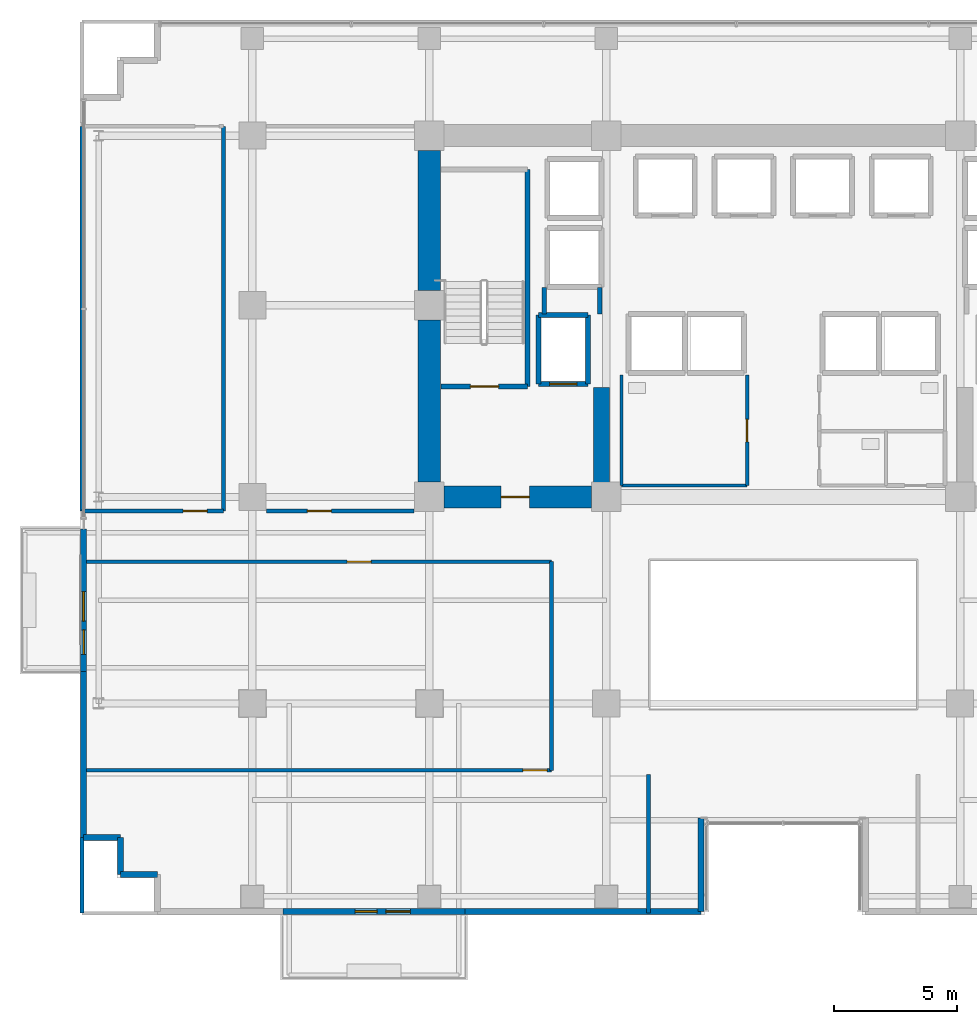
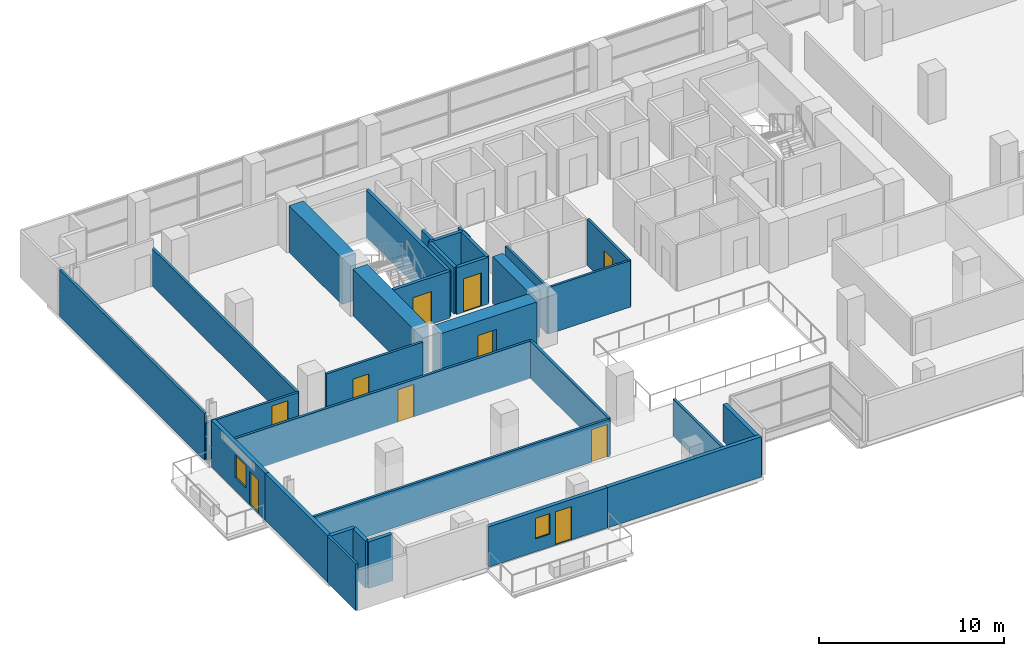
# One storey, part 24 of 31: 32 walls, 10 doors, 2 windows, 12 openings.
"""IFC4 building model written with IfcOpenShell, lengths in metres."""

import ifcopenshell
import ifcopenshell.guid

model = None  # the IFC model being written
_history = None  # IfcOwnerHistory: only IFC2X3 demands one
_inside = {}  # id of a spatial element -> (the spatial element, [elements in it])
_under = {}  # id of a project, library or spatial element -> (it, [spatial elements below it])
_declared = {}  # id of a project -> (the project, [libraries it declares])
_typed = {}  # id of a type object -> (the type object, [elements of that type])
_made_of = {}  # id of a material, layer set ... -> (it, [elements and type objects made of it])


def new_model(schema):
    """Start an empty IFC model of exactly this schema.

    Asked for "IFC4X3", IfcOpenShell would pick the latest addendum, in which some entities
    have other attributes; the version numbers below select the first issue.
    IFC2X3 requires an IfcOwnerHistory on every rooted entity: one is made here for all.
    """
    global model, _history
    if schema == "IFC4X3":
        model = ifcopenshell.file(schema_version=(4, 3, 0, 0))
    else:
        model = ifcopenshell.file(schema=schema)
    _inside.clear()
    _under.clear()
    _declared.clear()
    _typed.clear()
    _made_of.clear()
    _history = None
    if model.schema == "IFC2X3":
        org = make("IfcOrganization", Name="unknown")
        user = make(
            "IfcPersonAndOrganization",
            ThePerson=make("IfcPerson", FamilyName="unknown"),
            TheOrganization=org,
        )
        app = make(
            "IfcApplication",
            ApplicationDeveloper=org,
            Version="unknown",
            ApplicationFullName="unknown",
            ApplicationIdentifier="unknown",
        )
        _history = make(
            "IfcOwnerHistory",
            OwningUser=user,
            OwningApplication=app,
            ChangeAction="ADDED",
            CreationDate=0,
        )
    return model


def make(cls, **values):
    """One entity of the class cls with the attributes given. An attribute that is None is left unset."""
    return model.create_entity(
        cls, **{name: value for name, value in values.items() if value is not None}
    )


def rooted(cls, **values):
    """An entity with a GlobalId (a new one), such as an element, a storey or a relation."""
    return make(cls, GlobalId=ifcopenshell.guid.new(), OwnerHistory=_history, **values)


def si_unit(unit_type, name, prefix=None):
    """IfcSIUnit, for example si_unit("LENGTHUNIT", "METRE", prefix="MILLI")."""
    return make("IfcSIUnit", UnitType=unit_type, Prefix=prefix, Name=name)


def assignment(units):
    """IfcUnitAssignment: the units of a project."""
    return None if units is None else make("IfcUnitAssignment", Units=units)


def point(xyz):
    """IfcCartesianPoint."""
    return None if xyz is None else make("IfcCartesianPoint", Coordinates=xyz)


def direction(xyz):
    """IfcDirection."""
    return None if xyz is None else make("IfcDirection", DirectionRatios=xyz)


def frame(location, z_axis=None, x_axis=None):
    """IfcAxis2Placement3D, a coordinate frame: its origin and axes. An axis left out is left unset."""
    return make(
        "IfcAxis2Placement3D",
        Location=point(location),
        Axis=direction(z_axis),
        RefDirection=direction(x_axis),
    )


def frame_2d(location, x_axis=None):
    """IfcAxis2Placement2D, a coordinate frame in the plane: its origin and x axis."""
    return make(
        "IfcAxis2Placement2D", Location=point(location), RefDirection=direction(x_axis)
    )


def origin():
    """The frame at (0, 0, 0) with its axes left unset."""
    return frame((0.0, 0.0, 0.0))


def place(relative_to, where):
    """IfcLocalPlacement: puts the frame where relative to a parent placement (None: the world)."""
    return make(
        "IfcLocalPlacement", PlacementRelTo=relative_to, RelativePlacement=where
    )


def context(
    kind, dimensions, precision=None, world=None, true_north=None, identifier=None
):
    """IfcGeometricRepresentationContext, for example the 3D "Model" context."""
    return make(
        "IfcGeometricRepresentationContext",
        ContextIdentifier=identifier,
        ContextType=kind,
        CoordinateSpaceDimension=dimensions,
        Precision=precision,
        WorldCoordinateSystem=world,
        TrueNorth=true_north,
    )


def subcontext(parent, identifier, kind, view, scale=None):
    """IfcGeometricRepresentationSubContext, for example "Body" below "Model"."""
    return make(
        "IfcGeometricRepresentationSubContext",
        ContextIdentifier=identifier,
        ContextType=kind,
        ParentContext=parent,
        TargetScale=scale,
        TargetView=view,
    )


def project(units=None, contexts=None):
    """IfcProject with its units and contexts."""
    return rooted(
        "IfcProject",
        Name="project",
        RepresentationContexts=contexts,
        UnitsInContext=assignment(units),
    )


def spatial(cls, under=None, at=None, **own):
    """A site, building, storey or space (cls), placed at a placement, below another one or the project."""
    s = rooted(cls, ObjectPlacement=at, **own)
    if under is not None:
        _under.setdefault(under.id(), (under, []))[1].append(s)
    return s


def profile(cls, at=None, kind="AREA", **sizes):
    """A parametric profile (cls). Its sizes go by their IFC names, for example OverallWidth=200.0."""
    return make(cls, ProfileType=kind, Position=at, **sizes)


def rectangle(**sizes):
    """IfcRectangleProfileDef."""
    return profile("IfcRectangleProfileDef", **sizes)


def extrude(swept, where, along, depth):
    """IfcExtrudedAreaSolid: the profile swept, set in the frame where, extruded along a direction by depth."""
    return make(
        "IfcExtrudedAreaSolid",
        SweptArea=swept,
        Position=where,
        ExtrudedDirection=direction(along),
        Depth=depth,
    )


def shape(context_of_items, identifier, shape_type, items):
    """IfcShapeRepresentation: the items that make up one representation, for example the "Body"."""
    return make(
        "IfcShapeRepresentation",
        ContextOfItems=context_of_items,
        RepresentationIdentifier=identifier,
        RepresentationType=shape_type,
        Items=items,
    )


def source(mapping_origin, context_of_items, identifier, shape_type, items):
    """IfcRepresentationMap: a shape defined once, which mapped items show again and again."""
    return make(
        "IfcRepresentationMap",
        MappingOrigin=mapping_origin,
        MappedRepresentation=shape(context_of_items, identifier, shape_type, items),
    )


def transform(
    local_origin,
    x_axis=None,
    y_axis=None,
    z_axis=None,
    scale=None,
    scale2=None,
    scale3=None,
    uniform=True,
):
    """IfcCartesianTransformationOperator3D, or its non-uniform kind. x_axis, y_axis, z_axis: its Axis1, 2, 3."""
    if uniform:
        return make(
            "IfcCartesianTransformationOperator3D",
            Axis1=direction(x_axis),
            Axis2=direction(y_axis),
            LocalOrigin=point(local_origin),
            Scale=scale,
            Axis3=direction(z_axis),
        )
    return make(
        "IfcCartesianTransformationOperator3DnonUniform",
        Axis1=direction(x_axis),
        Axis2=direction(y_axis),
        LocalOrigin=point(local_origin),
        Scale=scale,
        Axis3=direction(z_axis),
        Scale2=scale2,
        Scale3=scale3,
    )


def mapped(mapping_source, mapping_target):
    """IfcMappedItem: shows the shape of a source again, moved by a transform."""
    return make(
        "IfcMappedItem", MappingSource=mapping_source, MappingTarget=mapping_target
    )


def material(Name=None, Category=None):
    """IfcMaterial."""
    return make("IfcMaterial", Name=Name, Category=Category)


def layer(
    of_material, thickness, ventilated=None, Name=None, Category=None, Priority=None
):
    """IfcMaterialLayer: one layer of a wall or slab, of a material (None: an air gap)."""
    return make(
        "IfcMaterialLayer",
        Material=of_material,
        LayerThickness=thickness,
        IsVentilated=ventilated,
        Name=Name,
        Category=Category,
        Priority=Priority,
    )


def layer_set(layers, Name=None):
    """IfcMaterialLayerSet."""
    return make("IfcMaterialLayerSet", MaterialLayers=layers, LayerSetName=Name)


def made_of(thing, what):
    """Note that an element or type object is made of a material, layer set ...; save() writes the relation."""
    if what is not None:
        _made_of.setdefault(what.id(), (what, []))[1].append(thing)
    return thing


def type_object(cls, material=None, **own):
    """A type object (cls), such as IfcWallType, which elements share."""
    return made_of(rooted(cls, **own), material)


def element(
    cls,
    number,
    at=None,
    inside=None,
    cuts=None,
    type_object=None,
    material=None,
    context=None,
    identifier="Body",
    shape_type=None,
    held_by="IfcProductDefinitionShape",
    body=None,
    shapes=None,
    **own,
):
    """One element of the class cls, such as IfcWall. Its Tag is "e" and its number.

    at: its placement. inside: the storey or other place that contains it. cuts: it is an
    opening in that element (IfcRelVoidsElement). A single representation is given by context,
    identifier, shape_type and body (its items); several are given by shapes. held_by: the class
    of the entity that holds the representations. save() writes the other relations.
    """
    e = rooted(cls, Tag="e%d" % number, ObjectPlacement=at, **own)
    if body is not None:
        shapes = [shape(context, identifier, shape_type, body)]
    if shapes is not None:
        e.Representation = make(held_by, Representations=shapes)
    if inside is not None:
        _inside.setdefault(inside.id(), (inside, []))[1].append(e)
    if cuts is not None:
        rooted(
            "IfcRelVoidsElement", RelatingBuildingElement=cuts, RelatedOpeningElement=e
        )
    if type_object is not None:
        _typed.setdefault(type_object.id(), (type_object, []))[1].append(e)
    return made_of(e, material)


def fill(opening, filler):
    """IfcRelFillsElement: the door or window that sits in an opening."""
    return rooted(
        "IfcRelFillsElement",
        RelatingOpeningElement=opening,
        RelatedBuildingElement=filler,
    )


def aggregate(whole, parts):
    """IfcRelAggregates: a whole, such as a stair, and the parts it consists of."""
    return rooted("IfcRelAggregates", RelatingObject=whole, RelatedObjects=parts)


def save(model, path):
    """Write the relations noted so far, then the file.

    IfcRelAggregates (storeys below a building ...), IfcRelContainedInSpatialStructure (elements
    in a storey), IfcRelDefinesByType, IfcRelAssociatesMaterial and IfcRelDeclares: one each for
    every whole, place, type object, material and project.
    """
    for whole, parts in _under.values():
        aggregate(whole, parts)
    for where, things in _inside.values():
        rooted(
            "IfcRelContainedInSpatialStructure",
            RelatedElements=things,
            RelatingStructure=where,
        )
    for kind, things in _typed.values():
        rooted("IfcRelDefinesByType", RelatedObjects=things, RelatingType=kind)
    for what, things in _made_of.values():
        rooted("IfcRelAssociatesMaterial", RelatedObjects=things, RelatingMaterial=what)
    for by, libraries in _declared.values():
        rooted("IfcRelDeclares", RelatingContext=by, RelatedDefinitions=libraries)
    model.write(path)


model = new_model("IFC4")

# Units and contexts
model_context = context("Model", 3, precision=1e-05, world=origin(), true_north=direction((0.0, 1.0)))
body_context = subcontext(model_context, "Body", "Model", "MODEL_VIEW")
ifc_project = project(units=[si_unit("LENGTHUNIT", "METRE"), si_unit("AREAUNIT", "SQUARE_METRE"), si_unit("VOLUMEUNIT", "CUBIC_METRE"), si_unit("PLANEANGLEUNIT", "RADIAN"), si_unit("MASSUNIT", "GRAM", prefix="KILO")], contexts=[model_context])

# Site, building, storey
site_placement = place(None, origin())
site = spatial("IfcSite", under=ifc_project, at=site_placement, CompositionType="ELEMENT")
building_placement = place(site_placement, origin())
building = spatial("IfcBuilding", under=site, at=building_placement, Name="Zarnakvel Exchange Tower", CompositionType="ELEMENT")
storey_placement = place(building_placement, frame((0.0, 0.0, 60.39990234375)))
storey = spatial("IfcBuildingStorey", under=building, at=storey_placement, Name="L16", CompositionType="ELEMENT", Elevation=60.39990234375)

# Walls
ifc_material_1 = material(Name="Concrete C80/95", Category="concrete")
ifc_layer_1 = layer(ifc_material_1, 0.89990234375)
ifc_layer_set_1 = layer_set([ifc_layer_1], Name="Concrete C80/95")
wall_type_1 = type_object("IfcWallType", Name="CW-C1", PredefinedType="SHEAR", material=ifc_layer_set_1)
wall_1_placement = place(storey_placement, frame((-14.39990234375, -0.60009765625, 0.0), z_axis=(0.0, 0.0, 1.0), x_axis=(0.0, 1.0, 0.0)))
element("IfcWall", 1, at=wall_1_placement, inside=storey, type_object=wall_type_1, Name="L16 Rear Core Shear Wall W1 (CW-C1)", PredefinedType="SHEAR", context=body_context, shape_type="SweptSolid", body=[
    extrude(rectangle(XDim=6.60009765625, YDim=0.89990234375, at=frame_2d((3.300048828125, 0.0))), origin(), (0.0, 0.0, 1.0), 3.0751953125),
])
wall_2_placement = place(storey_placement, frame((-14.39990234375, 7.199951171875, 0.0), z_axis=(0.0, 0.0, 1.0), x_axis=(0.0, 1.0, 0.0)))
element("IfcWall", 2, at=wall_2_placement, inside=storey, type_object=wall_type_1, Name="L16 Rear Core Shear Wall W2 (CW-C1)", PredefinedType="SHEAR", context=body_context, shape_type="SweptSolid", body=[
    extrude(rectangle(XDim=5.699951171875, YDim=0.89990234375, at=frame_2d((2.85009765625, 0.0))), origin(), (0.0, 0.0, 1.0), 3.0751953125),
])

# Wall, opening, door
wall_3_placement = place(storey_placement, frame((-7.800048828125, -1.199951171875, 0.0), z_axis=(0.0, 0.0, 1.0), x_axis=(-1.0, 0.0, 0.0)))
wall_3 = element("IfcWall", 3, at=wall_3_placement, inside=storey, type_object=wall_type_1, Name="L16 Rear Core Shear Wall SW (CW-C1)", PredefinedType="SHEAR", context=body_context, shape_type="SweptSolid", body=[
    extrude(rectangle(XDim=6.0, YDim=0.89990234375, at=frame_2d((3.0, 0.0))), origin(), (0.0, 0.0, 1.0), 3.0751953125),
])
opening_1_placement = place(wall_3_placement, frame((2.52490234375, 0.0, 0.0)))
opening_1 = element("IfcOpeningElement", 4, at=opening_1_placement, cuts=wall_3, Name="Opening D-L16-03", PredefinedType="OPENING", context=body_context, shape_type="SweptSolid", body=[
    extrude(rectangle(XDim=1.14990234375, YDim=2.14990234375, at=frame_2d((0.574951171875, 1.074951171875))), frame((0.0, 0.4599609375, 0.0), z_axis=(0.0, -1.0, 0.0), x_axis=(1.0, 0.0, 0.0)), (0.0, 0.0, 1.0), 0.919921875),
])
ifc_material_2 = material(Name="Painted Galvanised Steel S355", Category="steel")
door_type_1 = type_object("IfcDoorType", Name="DT-04", OperationType="NOTDEFINED", PredefinedType="DOOR", material=ifc_material_2)
shared_shape_1 = source(origin(), body_context, "Body", "SweptSolid", [
    extrude(rectangle(XDim=1.14990234375, YDim=2.14990234375, at=frame_2d((0.574951171875, 1.074951171875))), frame((0.0, 0.02490234375, 0.0), z_axis=(0.0, -1.0, 0.0), x_axis=(1.0, 0.0, 0.0)), (0.0, 0.0, 1.0), 0.050048828125),
])
door_1_placement = place(opening_1_placement, origin())
door_1 = element("IfcDoor", 5, at=door_1_placement, inside=storey, type_object=door_type_1, Name="L16 Firefighting Lobby West Door D-L16-03", OperationType="SINGLE_SWING_LEFT", OverallHeight=2.14990234375, OverallWidth=1.14990234375, PredefinedType="DOOR", context=body_context, shape_type="MappedRepresentation", body=[
    mapped(shared_shape_1, transform((0.0, 0.0, 0.0), x_axis=(1.0, 0.0, 0.0), y_axis=(0.0, 1.0, 0.0), z_axis=(0.0, 0.0, 1.0), scale=1.0)),
])
fill(opening_1, door_1)

# Wall
ifc_layer_2 = layer(ifc_material_1, 0.64990234375)
ifc_layer_set_2 = layer_set([ifc_layer_2], Name="Concrete C80/95")
wall_type_2 = type_object("IfcWallType", Name="CW-C2", PredefinedType="SHEAR", material=ifc_layer_set_2)
wall_4_placement = place(storey_placement, frame((-7.39990234375, -0.75, 0.0), z_axis=(0.0, 0.0, 1.0), x_axis=(0.0, 1.0, 0.0)))
element("IfcWall", 6, at=wall_4_placement, inside=storey, type_object=wall_type_2, Name="L16 Rear Core Shear Wall IW (CW-C2)", PredefinedType="SHEAR", context=body_context, shape_type="SweptSolid", body=[
    extrude(rectangle(XDim=4.0, YDim=0.64990234375, at=frame_2d((2.0, 0.0))), origin(), (0.0, 0.0, 1.0), 3.0751953125),
])

# Wall, openings, door, window
ifc_material_3 = material(Name="Precast concrete C40/50", Category="concrete")
ifc_layer_3 = layer(ifc_material_3, 0.239990234375)
ifc_layer_set_3 = layer_set([ifc_layer_3], Name="Precast concrete C40/50")
wall_type_3 = type_object("IfcWallType", Name="EW-02", PredefinedType="SOLIDWALL", material=ifc_layer_set_3)
wall_5_placement = place(storey_placement, frame((-12.949951171875, -18.06005859375, 0.0), z_axis=(0.0, 0.0, 1.0), x_axis=(-1.0, 0.0, 0.0)))
wall_5 = element("IfcWall", 7, at=wall_5_placement, inside=storey, type_object=wall_type_3, Name="L16 Exterior Precast Spandrel Wall EW-BAL-L16-SW (EW-02)", PredefinedType="SOLIDWALL", context=body_context, shape_type="SweptSolid", body=[
    extrude(rectangle(XDim=7.400146484375, YDim=0.239990234375, at=frame_2d((3.7001953125, 0.0))), origin(), (0.0, 0.0, 1.0), 2.6650390625),
])
opening_2_placement = place(wall_5_placement, frame((2.219970703125, 0.0, 0.0)))
opening_2 = element("IfcOpeningElement", 8, at=opening_2_placement, cuts=wall_5, Name="Opening BD-L16-01", PredefinedType="OPENING", context=body_context, shape_type="SweptSolid", body=[
    extrude(rectangle(XDim=1.0, YDim=2.199951171875, at=frame_2d((0.5, 1.10009765625))), frame((0.0, 0.1298828125, 0.0), z_axis=(0.0, -1.0, 0.0), x_axis=(1.0, 0.0, 0.0)), (0.0, 0.0, 1.0), 0.260009765625),
])
opening_3_placement = place(wall_5_placement, frame((3.570068359375, 0.0, 0.85009765625)))
opening_3 = element("IfcOpeningElement", 9, at=opening_3_placement, cuts=wall_5, Name="Opening WN-06", PredefinedType="OPENING", context=body_context, shape_type="SweptSolid", body=[
    extrude(rectangle(XDim=0.89990234375, YDim=1.35009765625, at=frame_2d((0.449951171875, 0.675048828125))), frame((0.0, 0.1298828125, 0.0), z_axis=(0.0, -1.0, 0.0), x_axis=(1.0, 0.0, 0.0)), (0.0, 0.0, 1.0), 0.260009765625),
])
ifc_material_4 = material(Name="Architectural Bronze Anodised Aluminium", Category="aluminium")
door_type_2 = type_object("IfcDoorType", Name="DT-09", OperationType="NOTDEFINED", PredefinedType="DOOR", material=ifc_material_4)
shared_shape_2 = source(origin(), body_context, "Body", "SweptSolid", [
    extrude(rectangle(XDim=1.0, YDim=2.199951171875, at=frame_2d((0.5, 1.10009765625))), frame((0.0, 0.02490234375, 0.0), z_axis=(0.0, -1.0, 0.0), x_axis=(1.0, 0.0, 0.0)), (0.0, 0.0, 1.0), 0.050048828125),
])
door_2_placement = place(opening_2_placement, origin())
door_2 = element("IfcDoor", 10, at=door_2_placement, inside=storey, type_object=door_type_2, Name="L16 Planted Loggia Balcony Door BD-L16-01", OperationType="SINGLE_SWING_RIGHT", OverallHeight=2.199951171875, OverallWidth=1.0, PredefinedType="DOOR", context=body_context, shape_type="MappedRepresentation", body=[
    mapped(shared_shape_2, transform((0.0, 0.0, 0.0), x_axis=(1.0, 0.0, 0.0), y_axis=(0.0, 1.0, 0.0), z_axis=(0.0, 0.0, 1.0), scale=1.0)),
])
fill(opening_2, door_2)
ifc_material_5 = material(Name="Double Low-E Laminated Vision Glass", Category="glass")
window_type_1 = type_object("IfcWindowType", Name="WN-06", PartitioningType="SINGLE_PANEL", PredefinedType="WINDOW", material=ifc_material_5)
shared_shape_3 = source(origin(), body_context, "Body", "SweptSolid", [
    extrude(rectangle(XDim=0.89990234375, YDim=1.35009765625, at=frame_2d((0.449951171875, 0.675048828125))), frame((0.0, 0.030029296875, 0.0), z_axis=(0.0, -1.0, 0.0), x_axis=(1.0, 0.0, 0.0)), (0.0, 0.0, 1.0), 0.06005859375),
])
window_1_placement = place(opening_3_placement, origin())
window_1 = element("IfcWindow", 11, at=window_1_placement, inside=storey, type_object=window_type_1, Name="L16 Loggia Daylight Window (WN-06)", OverallHeight=1.35009765625, OverallWidth=0.89990234375, PartitioningType="SINGLE_PANEL", PredefinedType="WINDOW", context=body_context, shape_type="MappedRepresentation", body=[
    mapped(shared_shape_3, transform((0.0, 0.0, 0.0), x_axis=(1.0, 0.0, 0.0), y_axis=(0.0, 1.0, 0.0), z_axis=(0.0, 0.0, 1.0), scale=1.0)),
])
fill(opening_3, window_1)

wall_6_placement = place(storey_placement, frame((-28.4599609375, -8.300048828125, 0.0), z_axis=(0.0, 0.0, 1.0), x_axis=(0.0, 1.0, 0.0)))
wall_6 = element("IfcWall", 12, at=wall_6_placement, inside=storey, type_object=wall_type_3, Name="L16 Exterior Precast Spandrel Wall EW-BAL-L16-W (EW-02)", PredefinedType="SOLIDWALL", context=body_context, shape_type="SweptSolid", body=[
    extrude(rectangle(XDim=5.800048828125, YDim=0.239990234375, at=frame_2d((2.89990234375, 0.0))), origin(), (0.0, 0.0, 1.0), 3.0751953125),
])
opening_4_placement = place(wall_6_placement, frame((0.696044921875, 0.0, 0.0)))
opening_4 = element("IfcOpeningElement", 13, at=opening_4_placement, cuts=wall_6, Name="Opening BD-L16-03", PredefinedType="OPENING", context=body_context, shape_type="SweptSolid", body=[
    extrude(rectangle(XDim=1.0, YDim=2.199951171875, at=frame_2d((0.5, 1.10009765625))), frame((0.0, 0.1298828125, 0.0), z_axis=(0.0, -1.0, 0.0), x_axis=(1.0, 0.0, 0.0)), (0.0, 0.0, 1.0), 0.260009765625),
])
opening_5_placement = place(wall_6_placement, frame((2.0458984375, 0.0, 0.85009765625)))
opening_5 = element("IfcOpeningElement", 14, at=opening_5_placement, cuts=wall_6, Name="Opening WN-04", PredefinedType="OPENING", context=body_context, shape_type="SweptSolid", body=[
    extrude(rectangle(XDim=1.199951171875, YDim=1.5, at=frame_2d((0.60009765625, 0.75))), frame((0.0, 0.1298828125, 0.0), z_axis=(0.0, -1.0, 0.0), x_axis=(1.0, 0.0, 0.0)), (0.0, 0.0, 1.0), 0.260009765625),
])
door_3_placement = place(opening_4_placement, origin())
door_3 = element("IfcDoor", 15, at=door_3_placement, inside=storey, type_object=door_type_2, Name="L16 Planted Loggia Balcony Door BD-L16-03", OperationType="SINGLE_SWING_RIGHT", OverallHeight=2.199951171875, OverallWidth=1.0, PredefinedType="DOOR", context=body_context, shape_type="MappedRepresentation", body=[
    mapped(shared_shape_2, transform((0.0, 0.0, 0.0), x_axis=(1.0, 0.0, 0.0), y_axis=(0.0, 1.0, 0.0), z_axis=(0.0, 0.0, 1.0), scale=1.0)),
])
fill(opening_4, door_3)
window_type_2 = type_object("IfcWindowType", Name="WN-04", PartitioningType="SINGLE_PANEL", PredefinedType="WINDOW", material=ifc_material_5)
shared_shape_4 = source(origin(), body_context, "Body", "SweptSolid", [
    extrude(rectangle(XDim=1.199951171875, YDim=1.5, at=frame_2d((0.60009765625, 0.75))), frame((0.0, 0.030029296875, 0.0), z_axis=(0.0, -1.0, 0.0), x_axis=(1.0, 0.0, 0.0)), (0.0, 0.0, 1.0), 0.06005859375),
])
window_2_placement = place(opening_5_placement, origin())
window_2 = element("IfcWindow", 16, at=window_2_placement, inside=storey, type_object=window_type_2, Name="L16 Loggia Daylight Window (WN-04)", OverallHeight=1.5, OverallWidth=1.199951171875, PartitioningType="SINGLE_PANEL", PredefinedType="WINDOW", context=body_context, shape_type="MappedRepresentation", body=[
    mapped(shared_shape_4, transform((0.0, 0.0, 0.0), x_axis=(1.0, 0.0, 0.0), y_axis=(0.0, 1.0, 0.0), z_axis=(0.0, 0.0, 1.0), scale=1.0)),
])
fill(opening_5, window_2)

# Walls
wall_7_placement = place(storey_placement, frame((-28.4599609375, -8.300048828125, 0.0), z_axis=(0.0, 0.0, 1.0), x_axis=(0.0, -1.0, 0.0)))
element("IfcWall", 17, at=wall_7_placement, inside=storey, type_object=wall_type_3, Name="L16 Exterior Precast Spandrel Wall EWC-L16-01 (EW-02)", PredefinedType="SOLIDWALL", context=body_context, shape_type="SweptSolid", body=[
    extrude(rectangle(XDim=6.760009765625, YDim=0.239990234375, at=frame_2d((3.3798828125, 0.0))), origin(), (0.0, 0.0, 1.0), 3.0751953125),
])
wall_8_placement = place(storey_placement, frame((-3.340087890625, -18.06005859375, 0.0), z_axis=(0.0, 0.0, 1.0), x_axis=(0.0, 1.0, 0.0)))
element("IfcWall", 18, at=wall_8_placement, inside=storey, type_object=wall_type_3, Name="L16 Exterior Precast Spandrel Wall EWC-L16-20 (EW-02)", PredefinedType="SOLIDWALL", context=body_context, shape_type="SweptSolid", body=[
    extrude(rectangle(XDim=3.800048828125, YDim=0.239990234375, at=frame_2d((1.89990234375, 0.0))), origin(), (0.0, 0.0, 1.0), 2.465087890625),
])
wall_9_placement = place(storey_placement, frame((-12.949951171875, -18.06005859375, 0.0), z_axis=(0.0, 0.0, 1.0), x_axis=(1.0, 0.0, 0.0)))
element("IfcWall", 19, at=wall_9_placement, inside=storey, type_object=wall_type_3, Name="L16 Exterior Precast Spandrel Wall EWC-L16-21 (EW-02)", PredefinedType="SOLIDWALL", context=body_context, shape_type="SweptSolid", body=[
    extrude(rectangle(XDim=9.60986328125, YDim=0.239990234375, at=frame_2d((4.804931640625, 0.0))), origin(), (0.0, 0.0, 1.0), 2.6650390625),
])
for number, where, z_axis, x_axis, name in (
    (20, (-26.9599609375, -16.56005859375, 0.0), (0.0, 0.0, 1.0), (1.0, 0.0, 0.0), "L16 Exterior Precast Spandrel Wall EWC-L16-24 (EW-02)"),
    (21, (-26.9599609375, -15.06005859375, 0.0), (0.0, 0.0, 1.0), (0.0, -1.0, 0.0), "L16 Exterior Precast Spandrel Wall EWC-L16-25 (EW-02)"),
    (22, (-28.4599609375, -15.06005859375, 0.0), (0.0, 0.0, 1.0), (1.0, 0.0, 0.0), "L16 Exterior Precast Spandrel Wall EWC-L16-26 (EW-02)"),
):
    element("IfcWall", number, at=place(storey_placement, frame(where, z_axis=z_axis, x_axis=x_axis)), inside=storey, type_object=wall_type_3, Name=name, PredefinedType="SOLIDWALL", context=body_context, shape_type="SweptSolid", body=[
        extrude(rectangle(XDim=1.5, YDim=0.239990234375, at=frame_2d((0.75, 0.0))), origin(), (0.0, 0.0, 1.0), 3.0751953125),
    ])

# Wall, opening, door
ifc_material_6 = material(Name="Fire-Rated Gypsum Stud Partition", Category="gypsum")
ifc_layer_4 = layer(ifc_material_6, 0.14990234375)
ifc_layer_set_4 = layer_set([ifc_layer_4], Name="Fire-Rated Gypsum Stud Partition")
wall_type_4 = type_object("IfcWallType", Name="PT-01", PredefinedType="PARTITIONING", material=ifc_layer_set_4)
wall_10_placement = place(storey_placement, frame((-9.429931640625, -12.320068359375, 0.0), z_axis=(0.0, 0.0, 1.0), x_axis=(-1.0, 0.0, 0.0)))
wall_10 = element("IfcWall", 23, at=wall_10_placement, inside=storey, type_object=wall_type_4, Name="L16 Partition Wall PWALL-L16-022 (PT-01)", PredefinedType="PARTITIONING", context=body_context, shape_type="SweptSolid", body=[
    extrude(rectangle(XDim=19.10009765625, YDim=0.14990234375, at=frame_2d((9.550048828125, 0.0))), origin(), (0.0, 0.0, 1.0), 2.465087890625),
])
opening_6_placement = place(wall_10_placement, frame((0.179931640625, 0.0, 0.0)))
opening_6 = element("IfcOpeningElement", 24, at=opening_6_placement, cuts=wall_10, Name="Opening D-L16-10", PredefinedType="OPENING", context=body_context, shape_type="SweptSolid", body=[
    extrude(rectangle(XDim=0.97998046875, YDim=2.14990234375, at=frame_2d((0.489990234375, 1.074951171875))), frame((0.0, 0.0849609375, 0.0), z_axis=(0.0, -1.0, 0.0), x_axis=(1.0, 0.0, 0.0)), (0.0, 0.0, 1.0), 0.169921875),
])
ifc_material_7 = material(Name="Timber Acoustic Veneer", Category="wood")
door_type_3 = type_object("IfcDoorType", Name="DT-05", OperationType="NOTDEFINED", PredefinedType="DOOR", material=ifc_material_7)
shared_shape_5 = source(origin(), body_context, "Body", "SweptSolid", [
    extrude(rectangle(XDim=0.97998046875, YDim=2.14990234375, at=frame_2d((0.489990234375, 1.074951171875))), frame((0.0, 0.02490234375, 0.0), z_axis=(0.0, -1.0, 0.0), x_axis=(1.0, 0.0, 0.0)), (0.0, 0.0, 1.0), 0.050048828125),
])
door_4_placement = place(opening_6_placement, origin())
door_4 = element("IfcDoor", 25, at=door_4_placement, inside=storey, type_object=door_type_3, Name="L16 Commodities Dealing Room Door D-L16-10", OperationType="SINGLE_SWING_RIGHT", OverallHeight=2.14990234375, OverallWidth=0.97998046875, PredefinedType="DOOR", context=body_context, shape_type="MappedRepresentation", body=[
    mapped(shared_shape_5, transform((0.0, 0.0, 0.0), x_axis=(1.0, 0.0, 0.0), y_axis=(0.0, 1.0, 0.0), z_axis=(0.0, 0.0, 1.0), scale=1.0)),
])
fill(opening_6, door_4)

wall_11_placement = place(storey_placement, frame((-28.530029296875, -3.830078125, 0.0), z_axis=(0.0, 0.0, 1.0), x_axis=(1.0, 0.0, 0.0)))
wall_11 = element("IfcWall", 26, at=wall_11_placement, inside=storey, type_object=wall_type_4, Name="L16 Partition Wall PWALL-L16-023 (PT-01)", PredefinedType="PARTITIONING", context=body_context, shape_type="SweptSolid", body=[
    extrude(rectangle(XDim=19.10009765625, YDim=0.14990234375, at=frame_2d((9.550048828125, 0.0))), origin(), (0.0, 0.0, 1.0), 2.465087890625),
])
opening_7_placement = place(wall_11_placement, frame((10.784912109375, 0.0, 0.0)))
opening_7 = element("IfcOpeningElement", 27, at=opening_7_placement, cuts=wall_11, Name="Opening D-L16-09", PredefinedType="OPENING", context=body_context, shape_type="SweptSolid", body=[
    extrude(rectangle(XDim=0.97998046875, YDim=2.14990234375, at=frame_2d((0.489990234375, 1.074951171875))), frame((0.0, 0.0849609375, 0.0), z_axis=(0.0, -1.0, 0.0), x_axis=(1.0, 0.0, 0.0)), (0.0, 0.0, 1.0), 0.169921875),
])
door_5_placement = place(opening_7_placement, origin())
door_5 = element("IfcDoor", 28, at=door_5_placement, inside=storey, type_object=door_type_3, Name="L16 Commodities Dealing Room Door D-L16-09", OperationType="SINGLE_SWING_LEFT", OverallHeight=2.14990234375, OverallWidth=0.97998046875, PredefinedType="DOOR", context=body_context, shape_type="MappedRepresentation", body=[
    mapped(shared_shape_5, transform((0.0, 0.0, 0.0), x_axis=(1.0, 0.0, 0.0), y_axis=(0.0, 1.0, 0.0), z_axis=(0.0, 0.0, 1.0), scale=1.0)),
])
fill(opening_7, door_5)

# Walls
wall_12_placement = place(storey_placement, frame((-9.429931640625, -3.830078125, 0.0), z_axis=(0.0, 0.0, 1.0), x_axis=(0.0, -1.0, 0.0)))
element("IfcWall", 29, at=wall_12_placement, inside=storey, type_object=wall_type_4, Name="L16 Partition Wall PWALL-L16-025 (PT-01)", PredefinedType="PARTITIONING", context=body_context, shape_type="SweptSolid", body=[
    extrude(rectangle(XDim=8.489990234375, YDim=0.14990234375, at=frame_2d((4.2451171875, 0.0))), origin(), (0.0, 0.0, 1.0), 2.465087890625),
])
wall_13_placement = place(storey_placement, frame((-28.530029296875, -18.1298828125, 0.0), z_axis=(0.0, 0.0, 1.0), x_axis=(0.0, 1.0, 0.0)))
element("IfcWall", 30, at=wall_13_placement, inside=storey, type_object=wall_type_4, Name="L16 Partition Wall PWALL-L16-027 (PT-01)", PredefinedType="PARTITIONING", context=body_context, shape_type="SweptSolid", body=[
    extrude(rectangle(XDim=3.06982421875, YDim=0.14990234375, at=frame_2d((1.534912109375, 0.0))), origin(), (0.0, 0.0, 1.0), 3.0751953125),
])
wall_14_placement = place(storey_placement, frame((-5.47998046875, -12.47998046875, 0.0), z_axis=(0.0, 0.0, 1.0), x_axis=(0.0, -1.0, 0.0)))
element("IfcWall", 31, at=wall_14_placement, inside=storey, type_object=wall_type_4, Name="L16 Partition Wall PWALL-L16-028 (PT-01)", PredefinedType="PARTITIONING", context=body_context, shape_type="SweptSolid", body=[
    extrude(rectangle(XDim=5.64990234375, YDim=0.14990234375, at=frame_2d((2.824951171875, 0.0))), origin(), (0.0, 0.0, 1.0), 2.465087890625),
])

# Wall, opening, door
wall_15_placement = place(storey_placement, frame((-22.7685546875, -1.77001953125, 0.0), z_axis=(0.0, 0.0, 1.0), x_axis=(-1.0, 0.0, 0.0)))
wall_15 = element("IfcWall", 32, at=wall_15_placement, inside=storey, type_object=wall_type_4, Name="L16 Partition Wall PWALL-L16-039 (PT-01)", PredefinedType="PARTITIONING", context=body_context, shape_type="SweptSolid", body=[
    extrude(rectangle(XDim=5.761474609375, YDim=0.14990234375, at=frame_2d((2.880859375, 0.0))), origin(), (0.0, 0.0, 1.0), 2.465087890625),
])
opening_8_placement = place(wall_15_placement, frame((0.66552734375, 0.0, 0.0)))
opening_8 = element("IfcOpeningElement", 33, at=opening_8_placement, cuts=wall_15, Name="Opening D-L16-14", PredefinedType="OPENING", context=body_context, shape_type="SweptSolid", body=[
    extrude(rectangle(XDim=0.97998046875, YDim=2.14990234375, at=frame_2d((0.489990234375, 1.074951171875))), frame((0.0, 0.0849609375, 0.0), z_axis=(0.0, -1.0, 0.0), x_axis=(1.0, 0.0, 0.0)), (0.0, 0.0, 1.0), 0.169921875),
])
door_6_placement = place(opening_8_placement, origin())
door_6 = element("IfcDoor", 34, at=door_6_placement, inside=storey, type_object=door_type_3, Name="L16 Boardroom Door D-L16-14", OperationType="SINGLE_SWING_RIGHT", OverallHeight=2.14990234375, OverallWidth=0.97998046875, PredefinedType="DOOR", context=body_context, shape_type="MappedRepresentation", body=[
    mapped(shared_shape_5, transform((0.0, 0.0, 0.0), x_axis=(1.0, 0.0, 0.0), y_axis=(0.0, 1.0, 0.0), z_axis=(0.0, 0.0, 1.0), scale=1.0)),
])
fill(opening_8, door_6)

# Walls
wall_16_placement = place(storey_placement, frame((-28.530029296875, -1.77001953125, 0.0), z_axis=(0.0, 0.0, 1.0), x_axis=(0.0, 1.0, 0.0)))
element("IfcWall", 35, at=wall_16_placement, inside=storey, type_object=wall_type_4, Name="L16 Partition Wall PWALL-L16-041 (PT-01)", PredefinedType="PARTITIONING", context=body_context, shape_type="SweptSolid", body=[
    extrude(rectangle(XDim=15.64990234375, YDim=0.14990234375, at=frame_2d((7.824951171875, 0.0))), origin(), (0.0, 0.0, 1.0), 3.0751953125),
])
wall_17_placement = place(storey_placement, frame((-22.7685546875, 13.8798828125, 0.0), z_axis=(0.0, 0.0, 1.0), x_axis=(0.0, -1.0, 0.0)))
element("IfcWall", 36, at=wall_17_placement, inside=storey, type_object=wall_type_4, Name="L16 Partition Wall PWALL-L16-042 (PT-01)", PredefinedType="PARTITIONING", context=body_context, shape_type="SweptSolid", body=[
    extrude(rectangle(XDim=15.64990234375, YDim=0.14990234375, at=frame_2d((7.824951171875, 0.0))), origin(), (0.0, 0.0, 1.0), 2.465087890625),
])

# Wall, opening, door
wall_18_placement = place(storey_placement, frame((-15.02001953125, -1.77001953125, 0.0), z_axis=(0.0, 0.0, 1.0), x_axis=(-1.0, 0.0, 0.0)))
wall_18 = element("IfcWall", 37, at=wall_18_placement, inside=storey, type_object=wall_type_4, Name="L16 Partition Wall PWALL-L16-043 (PT-01)", PredefinedType="PARTITIONING", context=body_context, shape_type="SweptSolid", body=[
    extrude(rectangle(XDim=6.010009765625, YDim=0.14990234375, at=frame_2d((3.0048828125, 0.0))), origin(), (0.0, 0.0, 1.0), 3.0751953125),
])
opening_9_placement = place(wall_18_placement, frame((3.35888671875, 0.0, 0.0)))
opening_9 = element("IfcOpeningElement", 38, at=opening_9_placement, cuts=wall_18, Name="Opening D-L16-15", PredefinedType="OPENING", context=body_context, shape_type="SweptSolid", body=[
    extrude(rectangle(XDim=0.97998046875, YDim=2.14990234375, at=frame_2d((0.489990234375, 1.074951171875))), frame((0.0, 0.0849609375, 0.0), z_axis=(0.0, -1.0, 0.0), x_axis=(1.0, 0.0, 0.0)), (0.0, 0.0, 1.0), 0.169921875),
])
door_7_placement = place(opening_9_placement, origin())
door_7 = element("IfcDoor", 39, at=door_7_placement, inside=storey, type_object=door_type_3, Name="L16 Tea Pantry Door D-L16-15", OperationType="SINGLE_SWING_LEFT", OverallHeight=2.14990234375, OverallWidth=0.97998046875, PredefinedType="DOOR", context=body_context, shape_type="MappedRepresentation", body=[
    mapped(shared_shape_5, transform((0.0, 0.0, 0.0), x_axis=(1.0, 0.0, 0.0), y_axis=(0.0, 1.0, 0.0), z_axis=(0.0, 0.0, 1.0), scale=1.0)),
])
fill(opening_9, door_7)

# Walls
ifc_layer_5 = layer(ifc_material_6, 0.179931640625)
ifc_layer_set_5 = layer_set([ifc_layer_5], Name="Fire-Rated Gypsum Stud Partition")
wall_type_5 = type_object("IfcWallType", Name="PT-02", PredefinedType="PARTITIONING", material=ifc_layer_set_5)
wall_19_placement = place(storey_placement, frame((-9.72998046875, 6.239990234375, 0.0), z_axis=(0.0, 0.0, 1.0), x_axis=(0.0, 1.0, 0.0)))
element("IfcWall", 40, at=wall_19_placement, inside=storey, type_object=wall_type_5, Name="L16 Partition Wall PWALL-L16-007 (PT-02)", PredefinedType="PARTITIONING", context=body_context, shape_type="SweptSolid", body=[
    extrude(rectangle(XDim=1.090087890625, YDim=0.179931640625, at=frame_2d((0.544921875, 0.0))), origin(), (0.0, 0.0, 1.0), 3.0751953125),
])
wall_20_placement = place(storey_placement, frame((-7.469970703125, 7.330078125, 0.0), z_axis=(0.0, 0.0, 1.0), x_axis=(0.0, -1.0, 0.0)))
element("IfcWall", 41, at=wall_20_placement, inside=storey, type_object=wall_type_5, Name="L16 Partition Wall PWALL-L16-008 (PT-02)", PredefinedType="PARTITIONING", context=body_context, shape_type="SweptSolid", body=[
    extrude(rectangle(XDim=1.090087890625, YDim=0.179931640625, at=frame_2d((0.544921875, 0.0))), origin(), (0.0, 0.0, 1.0), 2.465087890625),
])
ifc_material_8 = material(Name="Moisture-Resistant Tile-Faced Partition", Category="gypsum")
ifc_layer_6 = layer(ifc_material_8, 0.135009765625)
ifc_layer_set_6 = layer_set([ifc_layer_6], Name="Moisture-Resistant Tile-Faced Partition")
wall_type_6 = type_object("IfcWallType", Name="PT-03", PredefinedType="PARTITIONING", material=ifc_layer_set_6)
wall_21_placement = place(storey_placement, frame((-1.469970703125, -0.72998046875, 0.0), z_axis=(0.0, 0.0, 1.0), x_axis=(-1.0, 0.0, 0.0)))
element("IfcWall", 42, at=wall_21_placement, inside=storey, type_object=wall_type_6, Name="L16 Partition Wall PWALL-L16-011 (PT-03)", PredefinedType="PARTITIONING", context=body_context, shape_type="SweptSolid", body=[
    extrude(rectangle(XDim=5.110107421875, YDim=0.135009765625, at=frame_2d((2.55517578125, 0.0))), origin(), (0.0, 0.0, 1.0), 3.0751953125),
])
wall_22_placement = place(storey_placement, frame((-6.580078125, -0.72998046875, 0.0), z_axis=(0.0, 0.0, 1.0), x_axis=(0.0, 1.0, 0.0)))
element("IfcWall", 43, at=wall_22_placement, inside=storey, type_object=wall_type_6, Name="L16 Partition Wall PWALL-L16-012 (PT-03)", PredefinedType="PARTITIONING", context=body_context, shape_type="SweptSolid", body=[
    extrude(rectangle(XDim=4.489990234375, YDim=0.135009765625, at=frame_2d((2.2451171875, 0.0))), origin(), (0.0, 0.0, 1.0), 3.0751953125),
])

# Wall, opening, door
wall_23_placement = place(storey_placement, frame((-1.469970703125, 3.760009765625, 0.0), z_axis=(0.0, 0.0, 1.0), x_axis=(0.0, -1.0, 0.0)))
wall_23 = element("IfcWall", 44, at=wall_23_placement, inside=storey, type_object=wall_type_6, Name="L16 Partition Wall PWALL-L16-013 (PT-03)", PredefinedType="PARTITIONING", context=body_context, shape_type="SweptSolid", body=[
    extrude(rectangle(XDim=4.489990234375, YDim=0.135009765625, at=frame_2d((2.2451171875, 0.0))), origin(), (0.0, 0.0, 1.0), 3.0751953125),
])
opening_10_placement = place(wall_23_placement, frame((1.800048828125, 0.0, 0.0)))
opening_10 = element("IfcOpeningElement", 45, at=opening_10_placement, cuts=wall_23, Name="Opening D-L16-05", PredefinedType="OPENING", context=body_context, shape_type="SweptSolid", body=[
    extrude(rectangle(XDim=0.919921875, YDim=2.10009765625, at=frame_2d((0.4599609375, 1.050048828125))), frame((0.0, 0.077392578125, 0.0), z_axis=(0.0, -1.0, 0.0), x_axis=(1.0, 0.0, 0.0)), (0.0, 0.0, 1.0), 0.155029296875),
])
ifc_material_9 = material(Name="Moisture-Resistant Laminate Timber", Category="wood")
door_type_4 = type_object("IfcDoorType", Name="DT-07", OperationType="NOTDEFINED", PredefinedType="DOOR", material=ifc_material_9)
shared_shape_6 = source(origin(), body_context, "Body", "SweptSolid", [
    extrude(rectangle(XDim=0.919921875, YDim=2.10009765625, at=frame_2d((0.4599609375, 1.050048828125))), frame((0.0, 0.02490234375, 0.0), z_axis=(0.0, -1.0, 0.0), x_axis=(1.0, 0.0, 0.0)), (0.0, 0.0, 1.0), 0.050048828125),
])
door_8_placement = place(opening_10_placement, origin())
door_8 = element("IfcDoor", 46, at=door_8_placement, inside=storey, type_object=door_type_4, Name="L16 Male Toilet Door D-L16-05", OperationType="SINGLE_SWING_LEFT", OverallHeight=2.10009765625, OverallWidth=0.919921875, PredefinedType="DOOR", context=body_context, shape_type="MappedRepresentation", body=[
    mapped(shared_shape_6, transform((0.0, 0.0, 0.0), x_axis=(1.0, 0.0, 0.0), y_axis=(0.0, 1.0, 0.0), z_axis=(0.0, 0.0, 1.0), scale=1.0)),
])
fill(opening_10, door_8)

ifc_material_10 = material(Name="Concrete C40/50", Category="concrete")
ifc_layer_7 = layer(ifc_material_10, 0.199951171875)
ifc_layer_set_7 = layer_set([ifc_layer_7], Name="Concrete C40/50")
wall_type_7 = type_object("IfcWallType", Name="SW-01", PredefinedType="SOLIDWALL", material=ifc_layer_set_7)
wall_24_placement = place(storey_placement, frame((-7.949951171875, 3.39990234375, 0.0), z_axis=(0.0, 0.0, 1.0), x_axis=(-1.0, 0.0, 0.0)))
wall_24 = element("IfcWall", 47, at=wall_24_placement, inside=storey, type_object=wall_type_7, Name="L16 FL-01 Hoistway Wall South", PredefinedType="SOLIDWALL", context=body_context, shape_type="SweptSolid", body=[
    extrude(rectangle(XDim=2.0, YDim=0.199951171875, at=frame_2d((1.0, 0.0))), origin(), (0.0, 0.0, 1.0), 3.0751953125),
])
opening_11_placement = place(wall_24_placement, frame((0.449951171875, 0.0, 0.0)))
opening_11 = element("IfcOpeningElement", 48, at=opening_11_placement, cuts=wall_24, Name="Opening LD-FL-01-L16", PredefinedType="OPENING", context=body_context, shape_type="SweptSolid", body=[
    extrude(rectangle(XDim=1.10009765625, YDim=2.199951171875, at=frame_2d((0.550048828125, 1.10009765625))), frame((0.0, 0.10986328125, 0.0), z_axis=(0.0, -1.0, 0.0), x_axis=(1.0, 0.0, 0.0)), (0.0, 0.0, 1.0), 0.219970703125),
])
ifc_material_11 = material(Name="Brushed Stainless Steel", Category="steel")
door_type_5 = type_object("IfcDoorType", Name="LDT-01", OperationType="NOTDEFINED", PredefinedType="DOOR", material=ifc_material_11)
shared_shape_7 = source(origin(), body_context, "Body", "SweptSolid", [
    extrude(rectangle(XDim=1.10009765625, YDim=2.199951171875, at=frame_2d((0.550048828125, 1.10009765625))), frame((0.0, 0.02490234375, 0.0), z_axis=(0.0, -1.0, 0.0), x_axis=(1.0, 0.0, 0.0)), (0.0, 0.0, 1.0), 0.050048828125),
])
door_9_placement = place(opening_11_placement, origin())
door_9 = element("IfcDoor", 49, at=door_9_placement, inside=storey, type_object=door_type_5, Name="L16 FL-01 Lift Landing Door LD-FL-01-L16", OperationType="DOUBLE_DOOR_SLIDING", OverallHeight=2.199951171875, OverallWidth=1.10009765625, PredefinedType="DOOR", context=body_context, shape_type="MappedRepresentation", body=[
    mapped(shared_shape_7, transform((0.0, 0.0, 0.0), x_axis=(1.0, 0.0, 0.0), y_axis=(0.0, 1.0, 0.0), z_axis=(0.0, 0.0, 1.0), scale=1.0)),
])
fill(opening_11, door_9)

# Walls
wall_25_placement = place(storey_placement, frame((-9.949951171875, 6.199951171875, 0.0), z_axis=(0.0, 0.0, 1.0), x_axis=(1.0, 0.0, 0.0)))
element("IfcWall", 50, at=wall_25_placement, inside=storey, type_object=wall_type_7, Name="L16 FL-01 Hoistway Wall North", PredefinedType="SOLIDWALL", context=body_context, shape_type="SweptSolid", body=[
    extrude(rectangle(XDim=2.0, YDim=0.199951171875, at=frame_2d((1.0, 0.0))), origin(), (0.0, 0.0, 1.0), 3.0751953125),
])
for number, where, z_axis, x_axis, name in (
    (51, (-9.949951171875, 3.39990234375, 0.0), (0.0, 0.0, 1.0), (0.0, 1.0, 0.0), "L16 FL-01 Hoistway Wall West"),
    (52, (-7.949951171875, 6.199951171875, 0.0), (0.0, 0.0, 1.0), (0.0, -1.0, 0.0), "L16 FL-01 Hoistway Wall East"),
):
    element("IfcWall", number, at=place(storey_placement, frame(where, z_axis=z_axis, x_axis=x_axis)), inside=storey, type_object=wall_type_7, Name=name, PredefinedType="SOLIDWALL", context=body_context, shape_type="SweptSolid", body=[
        extrude(rectangle(XDim=2.800048828125, YDim=0.199951171875, at=frame_2d((1.39990234375, 0.0))), origin(), (0.0, 0.0, 1.0), 3.0751953125),
    ])

# Wall, opening, door
ifc_layer_8 = layer(ifc_material_10, 0.199951171875)
ifc_layer_set_8 = layer_set([ifc_layer_8], Name="Concrete C40/50")
wall_type_8 = type_object("IfcWallType", Name="SW-02", PredefinedType="SOLIDWALL", material=ifc_layer_set_8)
wall_26_placement = place(storey_placement, frame((-10.409912109375, 3.2900390625, 0.0), z_axis=(0.0, 0.0, 1.0), x_axis=(-1.0, 0.0, 0.0)))
wall_26 = element("IfcWall", 53, at=wall_26_placement, inside=storey, type_object=wall_type_8, Name="L16 Stairwell Core Wall PWALL-L16-001 (SW-02)", PredefinedType="SOLIDWALL", context=body_context, shape_type="SweptSolid", body=[
    extrude(rectangle(XDim=3.52001953125, YDim=0.199951171875, at=frame_2d((1.760009765625, 0.0))), origin(), (0.0, 0.0, 1.0), 3.0751953125),
])
opening_12_placement = place(wall_26_placement, frame((1.1650390625, 0.0, 0.0)))
opening_12 = element("IfcOpeningElement", 54, at=opening_12_placement, cuts=wall_26, Name="Opening D-L16-01", PredefinedType="OPENING", context=body_context, shape_type="SweptSolid", body=[
    extrude(rectangle(XDim=1.14990234375, YDim=2.14990234375, at=frame_2d((0.574951171875, 1.074951171875))), frame((0.0, 0.10986328125, 0.0), z_axis=(0.0, -1.0, 0.0), x_axis=(1.0, 0.0, 0.0)), (0.0, 0.0, 1.0), 0.219970703125),
])
door_10_placement = place(opening_12_placement, origin())
door_10 = element("IfcDoor", 55, at=door_10_placement, inside=storey, type_object=door_type_1, Name="L16 Stairwell ST-01 Door D-L16-01", OperationType="SINGLE_SWING_LEFT", OverallHeight=2.14990234375, OverallWidth=1.14990234375, PredefinedType="DOOR", context=body_context, shape_type="MappedRepresentation", body=[
    mapped(shared_shape_1, transform((0.0, 0.0, 0.0), x_axis=(1.0, 0.0, 0.0), y_axis=(0.0, 1.0, 0.0), z_axis=(0.0, 0.0, 1.0), scale=1.0)),
])
fill(opening_12, door_10)

# Wall
wall_27_placement = place(storey_placement, frame((-10.409912109375, 12.1298828125, 0.0), z_axis=(0.0, 0.0, 1.0), x_axis=(0.0, -1.0, 0.0)))
element("IfcWall", 56, at=wall_27_placement, inside=storey, type_object=wall_type_8, Name="L16 Stairwell Core Wall PWALL-L16-003 (SW-02)", PredefinedType="SOLIDWALL", context=body_context, shape_type="SweptSolid", body=[
    extrude(rectangle(XDim=8.83984375, YDim=0.199951171875, at=frame_2d((4.419921875, 0.0))), origin(), (0.0, 0.0, 1.0), 3.0751953125),
])

save(model, "model.ifc")
